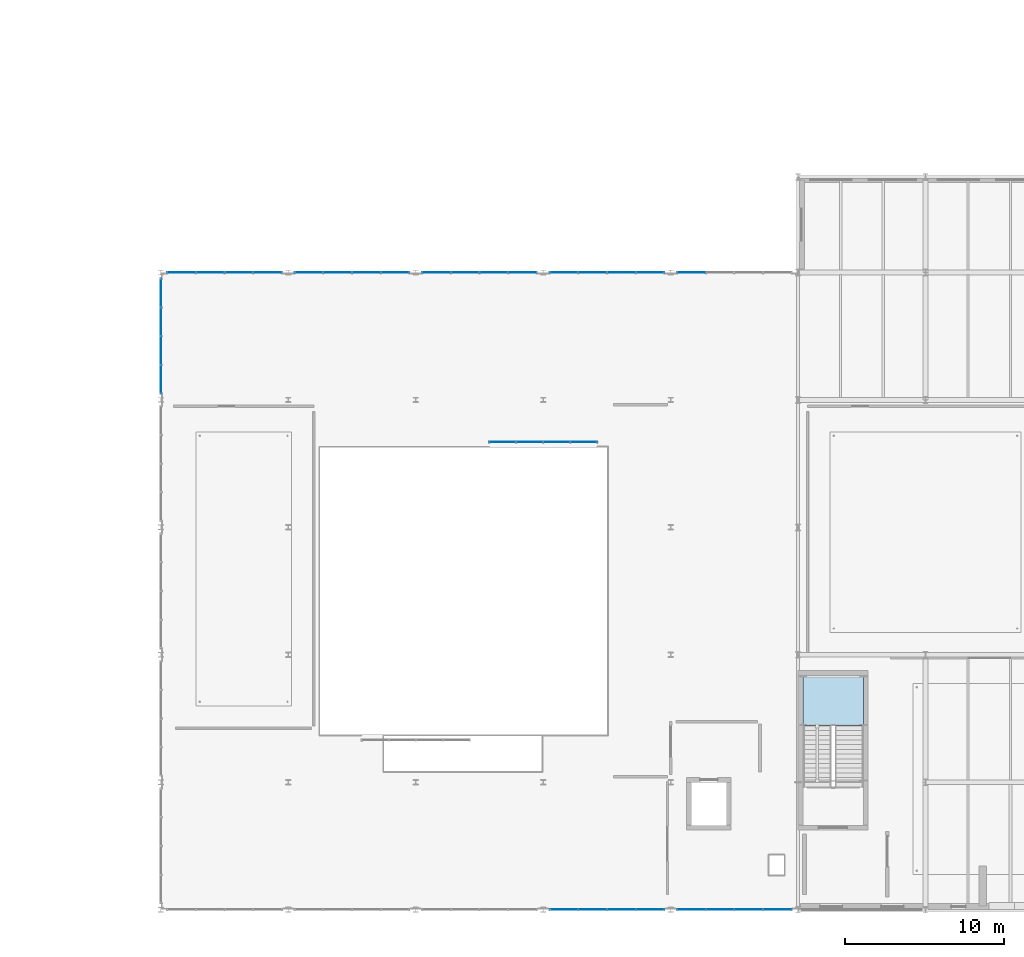
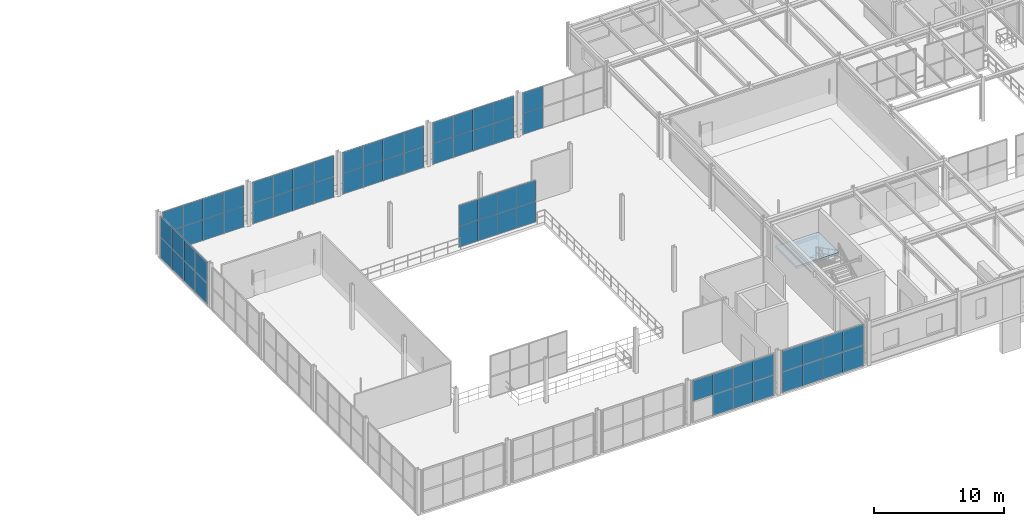
# One storey, part 32 of 67: 65 plates, 1 slab, 10 elements without a shape of their own.
"""IFC4 building model written with IfcOpenShell, lengths in metres."""

from ifc_helpers import new_model, si_unit, direction, frame, origin, origin_2d, place, context, subcontext, project, spatial, polyline, rectangle, outline, extrude, material, layer, layer_set, type_object, element, aggregate, save


model = new_model("IFC4")

# Units and contexts
model_context = context("Model", 3, precision=1e-05, world=origin(), true_north=direction((0.0, 1.0)))
body_context = subcontext(model_context, "Body", "Model", "MODEL_VIEW")
ifc_project = project(units=[si_unit("LENGTHUNIT", "METRE"), si_unit("AREAUNIT", "SQUARE_METRE"), si_unit("VOLUMEUNIT", "CUBIC_METRE"), si_unit("PLANEANGLEUNIT", "RADIAN"), si_unit("MASSUNIT", "GRAM", prefix="KILO")], contexts=[model_context])

# Site, building, storey
site_placement = place(None, origin())
site = spatial("IfcSite", under=ifc_project, at=site_placement, CompositionType="ELEMENT")
building_placement = place(site_placement, origin())
building = spatial("IfcBuilding", under=site, at=building_placement, Name="Sundkrona Museum", CompositionType="ELEMENT")
storey_placement = place(building_placement, frame((0.0, 0.0, 21.800048828125)))
storey = spatial("IfcBuildingStorey", under=building, at=storey_placement, Name="L04", CompositionType="ELEMENT", Elevation=21.800048828125)

# Curtain wall, plates
ifc_material_1 = material(Name="Unitised Aluminium-Steel and Ceramic-Clad Curtain Walling", Category="steel")
curtain_wall_type_1 = type_object("IfcCurtainWallType", Name="CW-AT-72x38", PredefinedType="NOTDEFINED", material=ifc_material_1)
curtain_wall_1_placement = place(storey_placement, origin())
curtain_wall_1 = element("IfcCurtainWall", 1, at=curtain_wall_1_placement, inside=storey, type_object=curtain_wall_type_1, Name="L04 Curtain Wall CW-L04-080", PredefinedType="NOTDEFINED")
ifc_material_2 = material(Name="Triple Low-E Vision Glazing 32 mm", Category="glass")
ifc_layer_1 = layer(ifc_material_2, 0.031982421875)
ifc_layer_set_1 = layer_set([ifc_layer_1], Name="Triple Low-E Vision Glazing 32 mm")
plate_type_1 = type_object("IfcPlateType", Name="PN-GL-01", PredefinedType="CURTAIN_PANEL", material=ifc_layer_set_1)
plate_1_placement = place(storey_placement, frame((105.300048828125, 0.0, 1.9599609375), z_axis=(0.0, 0.0, 1.0), x_axis=(1.0, 0.0, 0.0)))
plate_1 = element("IfcPlate", 2, at=plate_1_placement, type_object=plate_type_1, Name="CW-L04-080 Panel 02", PredefinedType="CURTAIN_PANEL", context=body_context, shape_type="SweptSolid", body=[
    extrude(rectangle(XDim=1.800048828125, YDim=0.031982421875, at=origin_2d()), origin(), (0.0, 0.0, 1.0), 1.964111328125),
])
plate_2_placement = place(storey_placement, frame((107.10009765625, 0.0, -0.00390625), z_axis=(0.0, 0.0, 1.0), x_axis=(1.0, 0.0, 0.0)))
plate_2 = element("IfcPlate", 3, at=plate_2_placement, type_object=plate_type_1, Name="CW-L04-080 Panel 03", PredefinedType="CURTAIN_PANEL", context=body_context, shape_type="SweptSolid", body=[
    extrude(rectangle(XDim=1.800048828125, YDim=0.031982421875, at=origin_2d()), origin(), (0.0, 0.0, 1.0), 1.964111328125),
])
plate_3_placement = place(storey_placement, frame((107.10009765625, 0.0, 1.9599609375), z_axis=(0.0, 0.0, 1.0), x_axis=(1.0, 0.0, 0.0)))
plate_3 = element("IfcPlate", 4, at=plate_3_placement, type_object=plate_type_1, Name="CW-L04-080 Panel 04", PredefinedType="CURTAIN_PANEL", context=body_context, shape_type="SweptSolid", body=[
    extrude(rectangle(XDim=1.800048828125, YDim=0.031982421875, at=origin_2d()), origin(), (0.0, 0.0, 1.0), 1.964111328125),
])
plate_4_placement = place(storey_placement, frame((108.89990234375, 0.0, -0.00390625), z_axis=(0.0, 0.0, 1.0), x_axis=(1.0, 0.0, 0.0)))
plate_4 = element("IfcPlate", 5, at=plate_4_placement, type_object=plate_type_1, Name="CW-L04-080 Panel 05", PredefinedType="CURTAIN_PANEL", context=body_context, shape_type="SweptSolid", body=[
    extrude(rectangle(XDim=1.800048828125, YDim=0.031982421875, at=origin_2d()), origin(), (0.0, 0.0, 1.0), 1.964111328125),
])
plate_5_placement = place(storey_placement, frame((108.89990234375, 0.0, 1.9599609375), z_axis=(0.0, 0.0, 1.0), x_axis=(1.0, 0.0, 0.0)))
plate_5 = element("IfcPlate", 6, at=plate_5_placement, type_object=plate_type_1, Name="CW-L04-080 Panel 06", PredefinedType="CURTAIN_PANEL", context=body_context, shape_type="SweptSolid", body=[
    extrude(rectangle(XDim=1.800048828125, YDim=0.031982421875, at=origin_2d()), origin(), (0.0, 0.0, 1.0), 1.964111328125),
])
plate_6_placement = place(storey_placement, frame((110.699951171875, 0.0, -0.00390625), z_axis=(0.0, 0.0, 1.0), x_axis=(1.0, 0.0, 0.0)))
plate_6 = element("IfcPlate", 7, at=plate_6_placement, type_object=plate_type_1, Name="CW-L04-080 Panel 07", PredefinedType="CURTAIN_PANEL", context=body_context, shape_type="SweptSolid", body=[
    extrude(rectangle(XDim=1.800048828125, YDim=0.031982421875, at=origin_2d()), origin(), (0.0, 0.0, 1.0), 1.964111328125),
])
plate_7_placement = place(storey_placement, frame((110.699951171875, 0.0, 1.9599609375), z_axis=(0.0, 0.0, 1.0), x_axis=(1.0, 0.0, 0.0)))
plate_7 = element("IfcPlate", 8, at=plate_7_placement, type_object=plate_type_1, Name="CW-L04-080 Panel 08", PredefinedType="CURTAIN_PANEL", context=body_context, shape_type="SweptSolid", body=[
    extrude(rectangle(XDim=1.800048828125, YDim=0.031982421875, at=origin_2d()), origin(), (0.0, 0.0, 1.0), 1.964111328125),
])
aggregate(curtain_wall_1, [plate_1, plate_2, plate_3, plate_4, plate_5, plate_6, plate_7])

curtain_wall_2_placement = place(storey_placement, origin())
curtain_wall_2 = element("IfcCurtainWall", 9, at=curtain_wall_2_placement, inside=storey, type_object=curtain_wall_type_1, Name="L04 Curtain Wall CW-L04-081", PredefinedType="NOTDEFINED")
plate_8_placement = place(storey_placement, frame((113.300048828125, 0.0, -0.00390625), z_axis=(0.0, 0.0, 1.0), x_axis=(1.0, 0.0, 0.0)))
plate_8 = element("IfcPlate", 10, at=plate_8_placement, type_object=plate_type_1, Name="CW-L04-081 Panel 01", PredefinedType="CURTAIN_PANEL", context=body_context, shape_type="SweptSolid", body=[
    extrude(rectangle(XDim=1.800048828125, YDim=0.031982421875, at=origin_2d()), origin(), (0.0, 0.0, 1.0), 1.964111328125),
])
plate_9_placement = place(storey_placement, frame((113.300048828125, 0.0, 1.9599609375), z_axis=(0.0, 0.0, 1.0), x_axis=(1.0, 0.0, 0.0)))
plate_9 = element("IfcPlate", 11, at=plate_9_placement, type_object=plate_type_1, Name="CW-L04-081 Panel 02", PredefinedType="CURTAIN_PANEL", context=body_context, shape_type="SweptSolid", body=[
    extrude(rectangle(XDim=1.800048828125, YDim=0.031982421875, at=origin_2d()), origin(), (0.0, 0.0, 1.0), 1.964111328125),
])
plate_10_placement = place(storey_placement, frame((115.10009765625, 0.0, -0.00390625), z_axis=(0.0, 0.0, 1.0), x_axis=(1.0, 0.0, 0.0)))
plate_10 = element("IfcPlate", 12, at=plate_10_placement, type_object=plate_type_1, Name="CW-L04-081 Panel 03", PredefinedType="CURTAIN_PANEL", context=body_context, shape_type="SweptSolid", body=[
    extrude(rectangle(XDim=1.800048828125, YDim=0.031982421875, at=origin_2d()), origin(), (0.0, 0.0, 1.0), 1.964111328125),
])
plate_11_placement = place(storey_placement, frame((115.10009765625, 0.0, 1.9599609375), z_axis=(0.0, 0.0, 1.0), x_axis=(1.0, 0.0, 0.0)))
plate_11 = element("IfcPlate", 13, at=plate_11_placement, type_object=plate_type_1, Name="CW-L04-081 Panel 04", PredefinedType="CURTAIN_PANEL", context=body_context, shape_type="SweptSolid", body=[
    extrude(rectangle(XDim=1.800048828125, YDim=0.031982421875, at=origin_2d()), origin(), (0.0, 0.0, 1.0), 1.964111328125),
])
plate_12_placement = place(storey_placement, frame((116.89990234375, 0.0, -0.00390625), z_axis=(0.0, 0.0, 1.0), x_axis=(1.0, 0.0, 0.0)))
plate_12 = element("IfcPlate", 14, at=plate_12_placement, type_object=plate_type_1, Name="CW-L04-081 Panel 05", PredefinedType="CURTAIN_PANEL", context=body_context, shape_type="SweptSolid", body=[
    extrude(rectangle(XDim=1.800048828125, YDim=0.031982421875, at=origin_2d()), origin(), (0.0, 0.0, 1.0), 1.964111328125),
])
plate_13_placement = place(storey_placement, frame((116.89990234375, 0.0, 1.9599609375), z_axis=(0.0, 0.0, 1.0), x_axis=(1.0, 0.0, 0.0)))
plate_13 = element("IfcPlate", 15, at=plate_13_placement, type_object=plate_type_1, Name="CW-L04-081 Panel 06", PredefinedType="CURTAIN_PANEL", context=body_context, shape_type="SweptSolid", body=[
    extrude(rectangle(XDim=1.800048828125, YDim=0.031982421875, at=origin_2d()), origin(), (0.0, 0.0, 1.0), 1.964111328125),
])
plate_14_placement = place(storey_placement, frame((118.699951171875, 0.0, -0.00390625), z_axis=(0.0, 0.0, 1.0), x_axis=(1.0, 0.0, 0.0)))
plate_14 = element("IfcPlate", 16, at=plate_14_placement, type_object=plate_type_1, Name="CW-L04-081 Panel 07", PredefinedType="CURTAIN_PANEL", context=body_context, shape_type="SweptSolid", body=[
    extrude(rectangle(XDim=1.800048828125, YDim=0.031982421875, at=origin_2d()), origin(), (0.0, 0.0, 1.0), 1.964111328125),
])
plate_15_placement = place(storey_placement, frame((118.699951171875, 0.0, 1.9599609375), z_axis=(0.0, 0.0, 1.0), x_axis=(1.0, 0.0, 0.0)))
plate_15 = element("IfcPlate", 17, at=plate_15_placement, type_object=plate_type_1, Name="CW-L04-081 Panel 08", PredefinedType="CURTAIN_PANEL", context=body_context, shape_type="SweptSolid", body=[
    extrude(rectangle(XDim=1.800048828125, YDim=0.031982421875, at=origin_2d()), origin(), (0.0, 0.0, 1.0), 1.964111328125),
])
aggregate(curtain_wall_2, [plate_8, plate_9, plate_10, plate_11, plate_12, plate_13, plate_14, plate_15])

curtain_wall_3_placement = place(storey_placement, origin())
curtain_wall_3 = element("IfcCurtainWall", 18, at=curtain_wall_3_placement, inside=storey, type_object=curtain_wall_type_1, Name="L04 Curtain Wall CW-L04-086", PredefinedType="NOTDEFINED")
plate_16_placement = place(storey_placement, frame((80.0, 33.300048828125, -0.00390625), z_axis=(0.0, 0.0, 1.0), x_axis=(0.0, 1.0, 0.0)))
plate_16 = element("IfcPlate", 19, at=plate_16_placement, type_object=plate_type_1, Name="CW-L04-086 Panel 01", PredefinedType="CURTAIN_PANEL", context=body_context, shape_type="SweptSolid", body=[
    extrude(rectangle(XDim=1.800048828125, YDim=0.031982421875, at=origin_2d()), origin(), (0.0, 0.0, 1.0), 1.964111328125),
])
plate_17_placement = place(storey_placement, frame((80.0, 33.300048828125, 1.9599609375), z_axis=(0.0, 0.0, 1.0), x_axis=(0.0, 1.0, 0.0)))
plate_17 = element("IfcPlate", 20, at=plate_17_placement, type_object=plate_type_1, Name="CW-L04-086 Panel 02", PredefinedType="CURTAIN_PANEL", context=body_context, shape_type="SweptSolid", body=[
    extrude(rectangle(XDim=1.800048828125, YDim=0.031982421875, at=origin_2d()), origin(), (0.0, 0.0, 1.0), 1.964111328125),
])
plate_18_placement = place(storey_placement, frame((80.0, 35.10009765625, -0.00390625), z_axis=(0.0, 0.0, 1.0), x_axis=(0.0, 1.0, 0.0)))
plate_18 = element("IfcPlate", 21, at=plate_18_placement, type_object=plate_type_1, Name="CW-L04-086 Panel 03", PredefinedType="CURTAIN_PANEL", context=body_context, shape_type="SweptSolid", body=[
    extrude(rectangle(XDim=1.800048828125, YDim=0.031982421875, at=origin_2d()), origin(), (0.0, 0.0, 1.0), 1.964111328125),
])
plate_19_placement = place(storey_placement, frame((80.0, 35.10009765625, 1.9599609375), z_axis=(0.0, 0.0, 1.0), x_axis=(0.0, 1.0, 0.0)))
plate_19 = element("IfcPlate", 22, at=plate_19_placement, type_object=plate_type_1, Name="CW-L04-086 Panel 04", PredefinedType="CURTAIN_PANEL", context=body_context, shape_type="SweptSolid", body=[
    extrude(rectangle(XDim=1.800048828125, YDim=0.031982421875, at=origin_2d()), origin(), (0.0, 0.0, 1.0), 1.964111328125),
])
plate_20_placement = place(storey_placement, frame((80.0, 36.89990234375, -0.00390625), z_axis=(0.0, 0.0, 1.0), x_axis=(0.0, 1.0, 0.0)))
plate_20 = element("IfcPlate", 23, at=plate_20_placement, type_object=plate_type_1, Name="CW-L04-086 Panel 05", PredefinedType="CURTAIN_PANEL", context=body_context, shape_type="SweptSolid", body=[
    extrude(rectangle(XDim=1.800048828125, YDim=0.031982421875, at=origin_2d()), origin(), (0.0, 0.0, 1.0), 1.964111328125),
])
plate_21_placement = place(storey_placement, frame((80.0, 36.89990234375, 1.9599609375), z_axis=(0.0, 0.0, 1.0), x_axis=(0.0, 1.0, 0.0)))
plate_21 = element("IfcPlate", 24, at=plate_21_placement, type_object=plate_type_1, Name="CW-L04-086 Panel 06", PredefinedType="CURTAIN_PANEL", context=body_context, shape_type="SweptSolid", body=[
    extrude(rectangle(XDim=1.800048828125, YDim=0.031982421875, at=origin_2d()), origin(), (0.0, 0.0, 1.0), 1.964111328125),
])
plate_22_placement = place(storey_placement, frame((80.0, 38.699951171875, -0.00390625), z_axis=(0.0, 0.0, 1.0), x_axis=(0.0, 1.0, 0.0)))
plate_22 = element("IfcPlate", 25, at=plate_22_placement, type_object=plate_type_1, Name="CW-L04-086 Panel 07", PredefinedType="CURTAIN_PANEL", context=body_context, shape_type="SweptSolid", body=[
    extrude(rectangle(XDim=1.800048828125, YDim=0.031982421875, at=origin_2d()), origin(), (0.0, 0.0, 1.0), 1.964111328125),
])
plate_23_placement = place(storey_placement, frame((80.0, 38.699951171875, 1.9599609375), z_axis=(0.0, 0.0, 1.0), x_axis=(0.0, 1.0, 0.0)))
plate_23 = element("IfcPlate", 26, at=plate_23_placement, type_object=plate_type_1, Name="CW-L04-086 Panel 08", PredefinedType="CURTAIN_PANEL", context=body_context, shape_type="SweptSolid", body=[
    extrude(rectangle(XDim=1.800048828125, YDim=0.031982421875, at=origin_2d()), origin(), (0.0, 0.0, 1.0), 1.964111328125),
])
aggregate(curtain_wall_3, [plate_16, plate_17, plate_18, plate_19, plate_20, plate_21, plate_22, plate_23])

curtain_wall_type_2 = type_object("IfcCurtainWallType", Name="CW-IN-68x36", PredefinedType="NOTDEFINED", material=ifc_material_1)
curtain_wall_4_placement = place(storey_placement, origin())
curtain_wall_4 = element("IfcCurtainWall", 27, at=curtain_wall_4_placement, inside=storey, type_object=curtain_wall_type_2, Name="L04 Curtain Wall CW-L04-093", PredefinedType="NOTDEFINED")
ifc_material_3 = material(Name="Tempered Laminated Fire Glass 32 mm", Category="glass")
ifc_layer_2 = layer(ifc_material_3, 0.031982421875)
ifc_layer_set_2 = layer_set([ifc_layer_2], Name="Tempered Laminated Fire Glass 32 mm")
plate_type_2 = type_object("IfcPlateType", Name="PN-IN-01", PredefinedType="CURTAIN_PANEL", material=ifc_layer_set_2)
plate_24_placement = place(storey_placement, frame((101.449951171875, 29.35009765625, -0.00390625), z_axis=(0.0, 0.0, 1.0), x_axis=(1.0, 0.0, 0.0)))
plate_24 = element("IfcPlate", 28, at=plate_24_placement, type_object=plate_type_2, Name="CW-L04-093 Panel 01", PredefinedType="CURTAIN_PANEL", context=body_context, shape_type="SweptSolid", body=[
    extrude(rectangle(XDim=1.699951171875, YDim=0.031982421875, at=origin_2d()), origin(), (0.0, 0.0, 1.0), 1.964111328125),
])
plate_25_placement = place(storey_placement, frame((101.449951171875, 29.35009765625, 1.9599609375), z_axis=(0.0, 0.0, 1.0), x_axis=(1.0, 0.0, 0.0)))
plate_25 = element("IfcPlate", 29, at=plate_25_placement, type_object=plate_type_2, Name="CW-L04-093 Panel 02", PredefinedType="CURTAIN_PANEL", context=body_context, shape_type="SweptSolid", body=[
    extrude(rectangle(XDim=1.699951171875, YDim=0.031982421875, at=origin_2d()), origin(), (0.0, 0.0, 1.0), 1.964111328125),
])
plate_26_placement = place(storey_placement, frame((103.14990234375, 29.35009765625, -0.00390625), z_axis=(0.0, 0.0, 1.0), x_axis=(1.0, 0.0, 0.0)))
plate_26 = element("IfcPlate", 30, at=plate_26_placement, type_object=plate_type_2, Name="CW-L04-093 Panel 03", PredefinedType="CURTAIN_PANEL", context=body_context, shape_type="SweptSolid", body=[
    extrude(rectangle(XDim=1.699951171875, YDim=0.031982421875, at=origin_2d()), origin(), (0.0, 0.0, 1.0), 1.964111328125),
])
plate_27_placement = place(storey_placement, frame((103.14990234375, 29.35009765625, 1.9599609375), z_axis=(0.0, 0.0, 1.0), x_axis=(1.0, 0.0, 0.0)))
plate_27 = element("IfcPlate", 31, at=plate_27_placement, type_object=plate_type_2, Name="CW-L04-093 Panel 04", PredefinedType="CURTAIN_PANEL", context=body_context, shape_type="SweptSolid", body=[
    extrude(rectangle(XDim=1.699951171875, YDim=0.031982421875, at=origin_2d()), origin(), (0.0, 0.0, 1.0), 1.964111328125),
])
plate_28_placement = place(storey_placement, frame((104.85009765625, 29.35009765625, -0.00390625), z_axis=(0.0, 0.0, 1.0), x_axis=(1.0, 0.0, 0.0)))
plate_28 = element("IfcPlate", 32, at=plate_28_placement, type_object=plate_type_2, Name="CW-L04-093 Panel 05", PredefinedType="CURTAIN_PANEL", context=body_context, shape_type="SweptSolid", body=[
    extrude(rectangle(XDim=1.699951171875, YDim=0.031982421875, at=origin_2d()), origin(), (0.0, 0.0, 1.0), 1.964111328125),
])
plate_29_placement = place(storey_placement, frame((104.85009765625, 29.35009765625, 1.9599609375), z_axis=(0.0, 0.0, 1.0), x_axis=(1.0, 0.0, 0.0)))
plate_29 = element("IfcPlate", 33, at=plate_29_placement, type_object=plate_type_2, Name="CW-L04-093 Panel 06", PredefinedType="CURTAIN_PANEL", context=body_context, shape_type="SweptSolid", body=[
    extrude(rectangle(XDim=1.699951171875, YDim=0.031982421875, at=origin_2d()), origin(), (0.0, 0.0, 1.0), 1.964111328125),
])
plate_30_placement = place(storey_placement, frame((106.550048828125, 29.35009765625, -0.00390625), z_axis=(0.0, 0.0, 1.0), x_axis=(1.0, 0.0, 0.0)))
plate_30 = element("IfcPlate", 34, at=plate_30_placement, type_object=plate_type_2, Name="CW-L04-093 Panel 07", PredefinedType="CURTAIN_PANEL", context=body_context, shape_type="SweptSolid", body=[
    extrude(rectangle(XDim=1.699951171875, YDim=0.031982421875, at=origin_2d()), origin(), (0.0, 0.0, 1.0), 1.964111328125),
])
plate_31_placement = place(storey_placement, frame((106.550048828125, 29.35009765625, 1.9599609375), z_axis=(0.0, 0.0, 1.0), x_axis=(1.0, 0.0, 0.0)))
plate_31 = element("IfcPlate", 35, at=plate_31_placement, type_object=plate_type_2, Name="CW-L04-093 Panel 08", PredefinedType="CURTAIN_PANEL", context=body_context, shape_type="SweptSolid", body=[
    extrude(rectangle(XDim=1.699951171875, YDim=0.031982421875, at=origin_2d()), origin(), (0.0, 0.0, 1.0), 1.964111328125),
])
aggregate(curtain_wall_4, [plate_24, plate_25, plate_26, plate_27, plate_28, plate_29, plate_30, plate_31])

curtain_wall_5_placement = place(storey_placement, origin())
curtain_wall_5 = element("IfcCurtainWall", 36, at=curtain_wall_5_placement, inside=storey, type_object=curtain_wall_type_1, Name="L04 Curtain Wall CW-L04-087", PredefinedType="NOTDEFINED")
ifc_material_4 = material(Name="Vitrified Stoneware Mosaic Spandrel Panel", Category="masonry")
ifc_layer_3 = layer(ifc_material_4, 0.031982421875)
ifc_layer_set_3 = layer_set([ifc_layer_3], Name="Vitrified Stoneware Mosaic Spandrel Panel")
plate_type_3 = type_object("IfcPlateType", Name="PN-MC-01", PredefinedType="CURTAIN_PANEL", material=ifc_layer_set_3)
plate_32_placement = place(storey_placement, frame((81.300048828125, 40.0, -0.00390625), z_axis=(0.0, 0.0, 1.0), x_axis=(1.0, 0.0, 0.0)))
plate_32 = element("IfcPlate", 37, at=plate_32_placement, type_object=plate_type_3, Name="CW-L04-087 Panel 01", PredefinedType="CURTAIN_PANEL", context=body_context, shape_type="SweptSolid", body=[
    extrude(rectangle(XDim=1.800048828125, YDim=0.031982421875, at=origin_2d()), origin(), (0.0, 0.0, 1.0), 1.964111328125),
])
plate_33_placement = place(storey_placement, frame((81.300048828125, 40.0, 1.9599609375), z_axis=(0.0, 0.0, 1.0), x_axis=(1.0, 0.0, 0.0)))
plate_33 = element("IfcPlate", 38, at=plate_33_placement, type_object=plate_type_3, Name="CW-L04-087 Panel 02", PredefinedType="CURTAIN_PANEL", context=body_context, shape_type="SweptSolid", body=[
    extrude(rectangle(XDim=1.800048828125, YDim=0.031982421875, at=origin_2d()), origin(), (0.0, 0.0, 1.0), 1.964111328125),
])
plate_34_placement = place(storey_placement, frame((83.10009765625, 40.0, -0.00390625), z_axis=(0.0, 0.0, 1.0), x_axis=(1.0, 0.0, 0.0)))
plate_34 = element("IfcPlate", 39, at=plate_34_placement, type_object=plate_type_3, Name="CW-L04-087 Panel 03", PredefinedType="CURTAIN_PANEL", context=body_context, shape_type="SweptSolid", body=[
    extrude(rectangle(XDim=1.800048828125, YDim=0.031982421875, at=origin_2d()), origin(), (0.0, 0.0, 1.0), 1.964111328125),
])
plate_35_placement = place(storey_placement, frame((83.10009765625, 40.0, 1.9599609375), z_axis=(0.0, 0.0, 1.0), x_axis=(1.0, 0.0, 0.0)))
plate_35 = element("IfcPlate", 40, at=plate_35_placement, type_object=plate_type_3, Name="CW-L04-087 Panel 04", PredefinedType="CURTAIN_PANEL", context=body_context, shape_type="SweptSolid", body=[
    extrude(rectangle(XDim=1.800048828125, YDim=0.031982421875, at=origin_2d()), origin(), (0.0, 0.0, 1.0), 1.964111328125),
])
plate_36_placement = place(storey_placement, frame((84.89990234375, 40.0, -0.00390625), z_axis=(0.0, 0.0, 1.0), x_axis=(1.0, 0.0, 0.0)))
plate_36 = element("IfcPlate", 41, at=plate_36_placement, type_object=plate_type_3, Name="CW-L04-087 Panel 05", PredefinedType="CURTAIN_PANEL", context=body_context, shape_type="SweptSolid", body=[
    extrude(rectangle(XDim=1.800048828125, YDim=0.031982421875, at=origin_2d()), origin(), (0.0, 0.0, 1.0), 1.964111328125),
])
plate_37_placement = place(storey_placement, frame((84.89990234375, 40.0, 1.9599609375), z_axis=(0.0, 0.0, 1.0), x_axis=(1.0, 0.0, 0.0)))
plate_37 = element("IfcPlate", 42, at=plate_37_placement, type_object=plate_type_3, Name="CW-L04-087 Panel 06", PredefinedType="CURTAIN_PANEL", context=body_context, shape_type="SweptSolid", body=[
    extrude(rectangle(XDim=1.800048828125, YDim=0.031982421875, at=origin_2d()), origin(), (0.0, 0.0, 1.0), 1.964111328125),
])
plate_38_placement = place(storey_placement, frame((86.699951171875, 40.0, -0.00390625), z_axis=(0.0, 0.0, 1.0), x_axis=(1.0, 0.0, 0.0)))
plate_38 = element("IfcPlate", 43, at=plate_38_placement, type_object=plate_type_3, Name="CW-L04-087 Panel 07", PredefinedType="CURTAIN_PANEL", context=body_context, shape_type="SweptSolid", body=[
    extrude(rectangle(XDim=1.800048828125, YDim=0.031982421875, at=origin_2d()), origin(), (0.0, 0.0, 1.0), 1.964111328125),
])
plate_39_placement = place(storey_placement, frame((86.699951171875, 40.0, 1.9599609375), z_axis=(0.0, 0.0, 1.0), x_axis=(1.0, 0.0, 0.0)))
plate_39 = element("IfcPlate", 44, at=plate_39_placement, type_object=plate_type_3, Name="CW-L04-087 Panel 08", PredefinedType="CURTAIN_PANEL", context=body_context, shape_type="SweptSolid", body=[
    extrude(rectangle(XDim=1.800048828125, YDim=0.031982421875, at=origin_2d()), origin(), (0.0, 0.0, 1.0), 1.964111328125),
])
aggregate(curtain_wall_5, [plate_32, plate_33, plate_34, plate_35, plate_36, plate_37, plate_38, plate_39])

curtain_wall_6_placement = place(storey_placement, origin())
curtain_wall_6 = element("IfcCurtainWall", 45, at=curtain_wall_6_placement, inside=storey, type_object=curtain_wall_type_1, Name="L04 Curtain Wall CW-L04-088", PredefinedType="NOTDEFINED")
plate_40_placement = place(storey_placement, frame((89.300048828125, 40.0, -0.00390625), z_axis=(0.0, 0.0, 1.0), x_axis=(1.0, 0.0, 0.0)))
plate_40 = element("IfcPlate", 46, at=plate_40_placement, type_object=plate_type_3, Name="CW-L04-088 Panel 01", PredefinedType="CURTAIN_PANEL", context=body_context, shape_type="SweptSolid", body=[
    extrude(rectangle(XDim=1.800048828125, YDim=0.031982421875, at=origin_2d()), origin(), (0.0, 0.0, 1.0), 1.964111328125),
])
plate_41_placement = place(storey_placement, frame((89.300048828125, 40.0, 1.9599609375), z_axis=(0.0, 0.0, 1.0), x_axis=(1.0, 0.0, 0.0)))
plate_41 = element("IfcPlate", 47, at=plate_41_placement, type_object=plate_type_3, Name="CW-L04-088 Panel 02", PredefinedType="CURTAIN_PANEL", context=body_context, shape_type="SweptSolid", body=[
    extrude(rectangle(XDim=1.800048828125, YDim=0.031982421875, at=origin_2d()), origin(), (0.0, 0.0, 1.0), 1.964111328125),
])
plate_42_placement = place(storey_placement, frame((91.10009765625, 40.0, -0.00390625), z_axis=(0.0, 0.0, 1.0), x_axis=(1.0, 0.0, 0.0)))
plate_42 = element("IfcPlate", 48, at=plate_42_placement, type_object=plate_type_3, Name="CW-L04-088 Panel 03", PredefinedType="CURTAIN_PANEL", context=body_context, shape_type="SweptSolid", body=[
    extrude(rectangle(XDim=1.800048828125, YDim=0.031982421875, at=origin_2d()), origin(), (0.0, 0.0, 1.0), 1.964111328125),
])
plate_43_placement = place(storey_placement, frame((91.10009765625, 40.0, 1.9599609375), z_axis=(0.0, 0.0, 1.0), x_axis=(1.0, 0.0, 0.0)))
plate_43 = element("IfcPlate", 49, at=plate_43_placement, type_object=plate_type_3, Name="CW-L04-088 Panel 04", PredefinedType="CURTAIN_PANEL", context=body_context, shape_type="SweptSolid", body=[
    extrude(rectangle(XDim=1.800048828125, YDim=0.031982421875, at=origin_2d()), origin(), (0.0, 0.0, 1.0), 1.964111328125),
])
plate_44_placement = place(storey_placement, frame((92.89990234375, 40.0, -0.00390625), z_axis=(0.0, 0.0, 1.0), x_axis=(1.0, 0.0, 0.0)))
plate_44 = element("IfcPlate", 50, at=plate_44_placement, type_object=plate_type_3, Name="CW-L04-088 Panel 05", PredefinedType="CURTAIN_PANEL", context=body_context, shape_type="SweptSolid", body=[
    extrude(rectangle(XDim=1.800048828125, YDim=0.031982421875, at=origin_2d()), origin(), (0.0, 0.0, 1.0), 1.964111328125),
])
plate_45_placement = place(storey_placement, frame((92.89990234375, 40.0, 1.9599609375), z_axis=(0.0, 0.0, 1.0), x_axis=(1.0, 0.0, 0.0)))
plate_45 = element("IfcPlate", 51, at=plate_45_placement, type_object=plate_type_3, Name="CW-L04-088 Panel 06", PredefinedType="CURTAIN_PANEL", context=body_context, shape_type="SweptSolid", body=[
    extrude(rectangle(XDim=1.800048828125, YDim=0.031982421875, at=origin_2d()), origin(), (0.0, 0.0, 1.0), 1.964111328125),
])
plate_46_placement = place(storey_placement, frame((94.699951171875, 40.0, -0.00390625), z_axis=(0.0, 0.0, 1.0), x_axis=(1.0, 0.0, 0.0)))
plate_46 = element("IfcPlate", 52, at=plate_46_placement, type_object=plate_type_3, Name="CW-L04-088 Panel 07", PredefinedType="CURTAIN_PANEL", context=body_context, shape_type="SweptSolid", body=[
    extrude(rectangle(XDim=1.800048828125, YDim=0.031982421875, at=origin_2d()), origin(), (0.0, 0.0, 1.0), 1.964111328125),
])
plate_47_placement = place(storey_placement, frame((94.699951171875, 40.0, 1.9599609375), z_axis=(0.0, 0.0, 1.0), x_axis=(1.0, 0.0, 0.0)))
plate_47 = element("IfcPlate", 53, at=plate_47_placement, type_object=plate_type_3, Name="CW-L04-088 Panel 08", PredefinedType="CURTAIN_PANEL", context=body_context, shape_type="SweptSolid", body=[
    extrude(rectangle(XDim=1.800048828125, YDim=0.031982421875, at=origin_2d()), origin(), (0.0, 0.0, 1.0), 1.964111328125),
])
aggregate(curtain_wall_6, [plate_40, plate_41, plate_42, plate_43, plate_44, plate_45, plate_46, plate_47])

curtain_wall_7_placement = place(storey_placement, origin())
curtain_wall_7 = element("IfcCurtainWall", 54, at=curtain_wall_7_placement, inside=storey, type_object=curtain_wall_type_1, Name="L04 Curtain Wall CW-L04-089", PredefinedType="NOTDEFINED")
plate_48_placement = place(storey_placement, frame((97.300048828125, 40.0, -0.00390625), z_axis=(0.0, 0.0, 1.0), x_axis=(1.0, 0.0, 0.0)))
plate_48 = element("IfcPlate", 55, at=plate_48_placement, type_object=plate_type_3, Name="CW-L04-089 Panel 01", PredefinedType="CURTAIN_PANEL", context=body_context, shape_type="SweptSolid", body=[
    extrude(rectangle(XDim=1.800048828125, YDim=0.031982421875, at=origin_2d()), origin(), (0.0, 0.0, 1.0), 1.964111328125),
])
plate_49_placement = place(storey_placement, frame((97.300048828125, 40.0, 1.9599609375), z_axis=(0.0, 0.0, 1.0), x_axis=(1.0, 0.0, 0.0)))
plate_49 = element("IfcPlate", 56, at=plate_49_placement, type_object=plate_type_3, Name="CW-L04-089 Panel 02", PredefinedType="CURTAIN_PANEL", context=body_context, shape_type="SweptSolid", body=[
    extrude(rectangle(XDim=1.800048828125, YDim=0.031982421875, at=origin_2d()), origin(), (0.0, 0.0, 1.0), 1.964111328125),
])
plate_50_placement = place(storey_placement, frame((99.10009765625, 40.0, -0.00390625), z_axis=(0.0, 0.0, 1.0), x_axis=(1.0, 0.0, 0.0)))
plate_50 = element("IfcPlate", 57, at=plate_50_placement, type_object=plate_type_3, Name="CW-L04-089 Panel 03", PredefinedType="CURTAIN_PANEL", context=body_context, shape_type="SweptSolid", body=[
    extrude(rectangle(XDim=1.800048828125, YDim=0.031982421875, at=origin_2d()), origin(), (0.0, 0.0, 1.0), 1.964111328125),
])
plate_51_placement = place(storey_placement, frame((99.10009765625, 40.0, 1.9599609375), z_axis=(0.0, 0.0, 1.0), x_axis=(1.0, 0.0, 0.0)))
plate_51 = element("IfcPlate", 58, at=plate_51_placement, type_object=plate_type_3, Name="CW-L04-089 Panel 04", PredefinedType="CURTAIN_PANEL", context=body_context, shape_type="SweptSolid", body=[
    extrude(rectangle(XDim=1.800048828125, YDim=0.031982421875, at=origin_2d()), origin(), (0.0, 0.0, 1.0), 1.964111328125),
])
plate_52_placement = place(storey_placement, frame((100.89990234375, 40.0, -0.00390625), z_axis=(0.0, 0.0, 1.0), x_axis=(1.0, 0.0, 0.0)))
plate_52 = element("IfcPlate", 59, at=plate_52_placement, type_object=plate_type_3, Name="CW-L04-089 Panel 05", PredefinedType="CURTAIN_PANEL", context=body_context, shape_type="SweptSolid", body=[
    extrude(rectangle(XDim=1.800048828125, YDim=0.031982421875, at=origin_2d()), origin(), (0.0, 0.0, 1.0), 1.964111328125),
])
plate_53_placement = place(storey_placement, frame((100.89990234375, 40.0, 1.9599609375), z_axis=(0.0, 0.0, 1.0), x_axis=(1.0, 0.0, 0.0)))
plate_53 = element("IfcPlate", 60, at=plate_53_placement, type_object=plate_type_3, Name="CW-L04-089 Panel 06", PredefinedType="CURTAIN_PANEL", context=body_context, shape_type="SweptSolid", body=[
    extrude(rectangle(XDim=1.800048828125, YDim=0.031982421875, at=origin_2d()), origin(), (0.0, 0.0, 1.0), 1.964111328125),
])
plate_54_placement = place(storey_placement, frame((102.699951171875, 40.0, -0.00390625), z_axis=(0.0, 0.0, 1.0), x_axis=(1.0, 0.0, 0.0)))
plate_54 = element("IfcPlate", 61, at=plate_54_placement, type_object=plate_type_3, Name="CW-L04-089 Panel 07", PredefinedType="CURTAIN_PANEL", context=body_context, shape_type="SweptSolid", body=[
    extrude(rectangle(XDim=1.800048828125, YDim=0.031982421875, at=origin_2d()), origin(), (0.0, 0.0, 1.0), 1.964111328125),
])
plate_55_placement = place(storey_placement, frame((102.699951171875, 40.0, 1.9599609375), z_axis=(0.0, 0.0, 1.0), x_axis=(1.0, 0.0, 0.0)))
plate_55 = element("IfcPlate", 62, at=plate_55_placement, type_object=plate_type_3, Name="CW-L04-089 Panel 08", PredefinedType="CURTAIN_PANEL", context=body_context, shape_type="SweptSolid", body=[
    extrude(rectangle(XDim=1.800048828125, YDim=0.031982421875, at=origin_2d()), origin(), (0.0, 0.0, 1.0), 1.964111328125),
])
aggregate(curtain_wall_7, [plate_48, plate_49, plate_50, plate_51, plate_52, plate_53, plate_54, plate_55])

curtain_wall_8_placement = place(storey_placement, origin())
curtain_wall_8 = element("IfcCurtainWall", 63, at=curtain_wall_8_placement, inside=storey, type_object=curtain_wall_type_1, Name="L04 Curtain Wall CW-L04-090", PredefinedType="NOTDEFINED")
plate_56_placement = place(storey_placement, frame((105.300048828125, 40.0, -0.00390625), z_axis=(0.0, 0.0, 1.0), x_axis=(1.0, 0.0, 0.0)))
plate_56 = element("IfcPlate", 64, at=plate_56_placement, type_object=plate_type_3, Name="CW-L04-090 Panel 01", PredefinedType="CURTAIN_PANEL", context=body_context, shape_type="SweptSolid", body=[
    extrude(rectangle(XDim=1.800048828125, YDim=0.031982421875, at=origin_2d()), origin(), (0.0, 0.0, 1.0), 1.964111328125),
])
plate_57_placement = place(storey_placement, frame((105.300048828125, 40.0, 1.9599609375), z_axis=(0.0, 0.0, 1.0), x_axis=(1.0, 0.0, 0.0)))
plate_57 = element("IfcPlate", 65, at=plate_57_placement, type_object=plate_type_3, Name="CW-L04-090 Panel 02", PredefinedType="CURTAIN_PANEL", context=body_context, shape_type="SweptSolid", body=[
    extrude(rectangle(XDim=1.800048828125, YDim=0.031982421875, at=origin_2d()), origin(), (0.0, 0.0, 1.0), 1.964111328125),
])
plate_58_placement = place(storey_placement, frame((107.10009765625, 40.0, -0.00390625), z_axis=(0.0, 0.0, 1.0), x_axis=(1.0, 0.0, 0.0)))
plate_58 = element("IfcPlate", 66, at=plate_58_placement, type_object=plate_type_3, Name="CW-L04-090 Panel 03", PredefinedType="CURTAIN_PANEL", context=body_context, shape_type="SweptSolid", body=[
    extrude(rectangle(XDim=1.800048828125, YDim=0.031982421875, at=origin_2d()), origin(), (0.0, 0.0, 1.0), 1.964111328125),
])
plate_59_placement = place(storey_placement, frame((107.10009765625, 40.0, 1.9599609375), z_axis=(0.0, 0.0, 1.0), x_axis=(1.0, 0.0, 0.0)))
plate_59 = element("IfcPlate", 67, at=plate_59_placement, type_object=plate_type_3, Name="CW-L04-090 Panel 04", PredefinedType="CURTAIN_PANEL", context=body_context, shape_type="SweptSolid", body=[
    extrude(rectangle(XDim=1.800048828125, YDim=0.031982421875, at=origin_2d()), origin(), (0.0, 0.0, 1.0), 1.964111328125),
])
plate_60_placement = place(storey_placement, frame((108.89990234375, 40.0, -0.00390625), z_axis=(0.0, 0.0, 1.0), x_axis=(1.0, 0.0, 0.0)))
plate_60 = element("IfcPlate", 68, at=plate_60_placement, type_object=plate_type_3, Name="CW-L04-090 Panel 05", PredefinedType="CURTAIN_PANEL", context=body_context, shape_type="SweptSolid", body=[
    extrude(rectangle(XDim=1.800048828125, YDim=0.031982421875, at=origin_2d()), origin(), (0.0, 0.0, 1.0), 1.964111328125),
])
plate_61_placement = place(storey_placement, frame((108.89990234375, 40.0, 1.9599609375), z_axis=(0.0, 0.0, 1.0), x_axis=(1.0, 0.0, 0.0)))
plate_61 = element("IfcPlate", 69, at=plate_61_placement, type_object=plate_type_3, Name="CW-L04-090 Panel 06", PredefinedType="CURTAIN_PANEL", context=body_context, shape_type="SweptSolid", body=[
    extrude(rectangle(XDim=1.800048828125, YDim=0.031982421875, at=origin_2d()), origin(), (0.0, 0.0, 1.0), 1.964111328125),
])
plate_62_placement = place(storey_placement, frame((110.699951171875, 40.0, -0.00390625), z_axis=(0.0, 0.0, 1.0), x_axis=(1.0, 0.0, 0.0)))
plate_62 = element("IfcPlate", 70, at=plate_62_placement, type_object=plate_type_3, Name="CW-L04-090 Panel 07", PredefinedType="CURTAIN_PANEL", context=body_context, shape_type="SweptSolid", body=[
    extrude(rectangle(XDim=1.800048828125, YDim=0.031982421875, at=origin_2d()), origin(), (0.0, 0.0, 1.0), 1.964111328125),
])
plate_63_placement = place(storey_placement, frame((110.699951171875, 40.0, 1.9599609375), z_axis=(0.0, 0.0, 1.0), x_axis=(1.0, 0.0, 0.0)))
plate_63 = element("IfcPlate", 71, at=plate_63_placement, type_object=plate_type_3, Name="CW-L04-090 Panel 08", PredefinedType="CURTAIN_PANEL", context=body_context, shape_type="SweptSolid", body=[
    extrude(rectangle(XDim=1.800048828125, YDim=0.031982421875, at=origin_2d()), origin(), (0.0, 0.0, 1.0), 1.964111328125),
])
aggregate(curtain_wall_8, [plate_56, plate_57, plate_58, plate_59, plate_60, plate_61, plate_62, plate_63])

curtain_wall_9_placement = place(storey_placement, origin())
curtain_wall_9 = element("IfcCurtainWall", 72, at=curtain_wall_9_placement, inside=storey, type_object=curtain_wall_type_1, Name="L04 Curtain Wall CW-L04-091", PredefinedType="NOTDEFINED")
plate_64_placement = place(storey_placement, frame((113.300048828125, 40.0, -0.00390625), z_axis=(0.0, 0.0, 1.0), x_axis=(1.0, 0.0, 0.0)))
plate_64 = element("IfcPlate", 73, at=plate_64_placement, type_object=plate_type_3, Name="CW-L04-091 Panel 01", PredefinedType="CURTAIN_PANEL", context=body_context, shape_type="SweptSolid", body=[
    extrude(rectangle(XDim=1.800048828125, YDim=0.031982421875, at=origin_2d()), origin(), (0.0, 0.0, 1.0), 1.964111328125),
])
plate_65_placement = place(storey_placement, frame((113.300048828125, 40.0, 1.9599609375), z_axis=(0.0, 0.0, 1.0), x_axis=(1.0, 0.0, 0.0)))
plate_65 = element("IfcPlate", 74, at=plate_65_placement, type_object=plate_type_3, Name="CW-L04-091 Panel 02", PredefinedType="CURTAIN_PANEL", context=body_context, shape_type="SweptSolid", body=[
    extrude(rectangle(XDim=1.800048828125, YDim=0.031982421875, at=origin_2d()), origin(), (0.0, 0.0, 1.0), 1.964111328125),
])
aggregate(curtain_wall_9, [plate_64, plate_65])

# Stair, slab
ifc_material_5 = material(Name="Concrete C35/45", Category="concrete")
stair_type = type_object("IfcStairType", Name="ST-DL-420", PredefinedType="HALF_TURN_STAIR", material=ifc_material_5)
stair_placement = place(storey_placement, origin())
stair = element("IfcStair", 75, at=stair_placement, inside=storey, type_object=stair_type, Name="L04 Protected Stair Core ST-2", PredefinedType="HALF_TURN_STAIR")
ifc_layer_4 = layer(ifc_material_5, 0.219970703125)
ifc_layer_set_4 = layer_set([ifc_layer_4], Name="Concrete C35/45")
slab_type = type_object("IfcSlabType", Name="SL-LN-220", PredefinedType="LANDING", material=ifc_layer_set_4)
slab_placement = place(storey_placement, frame((0.0, 0.0, 1.8798828125)))
slab = element("IfcSlab", 76, at=slab_placement, type_object=slab_type, Name="L04 Protected Stair Core ST-2 Landing 1", PredefinedType="LANDING", context=body_context, shape_type="SweptSolid", body=[
    extrude(outline(polyline([(124.10009765625, 11.534912109375), (124.10009765625, 14.699951171875), (120.300048828125, 14.699951171875), (120.300048828125, 11.534912109375), (124.10009765625, 11.534912109375)])), origin(), (0.0, 0.0, 1.0), 0.219970703125),
])
aggregate(stair, [slab])

save(model, "model.ifc")
